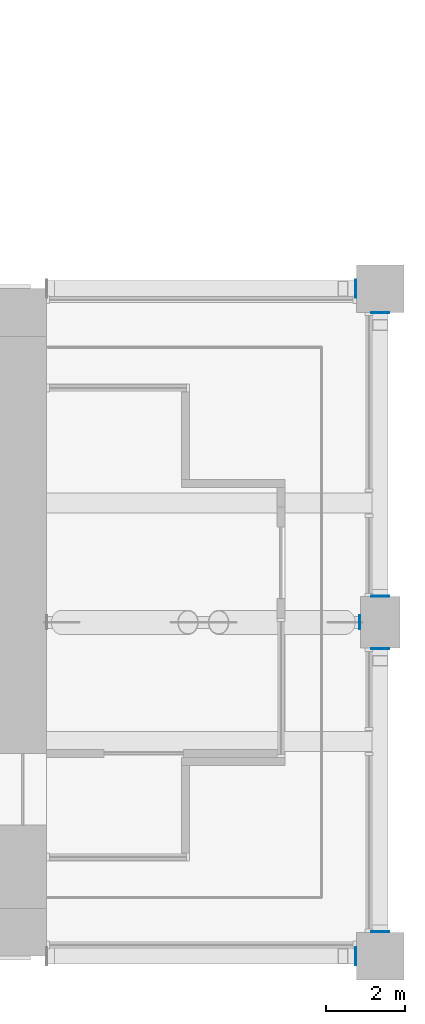
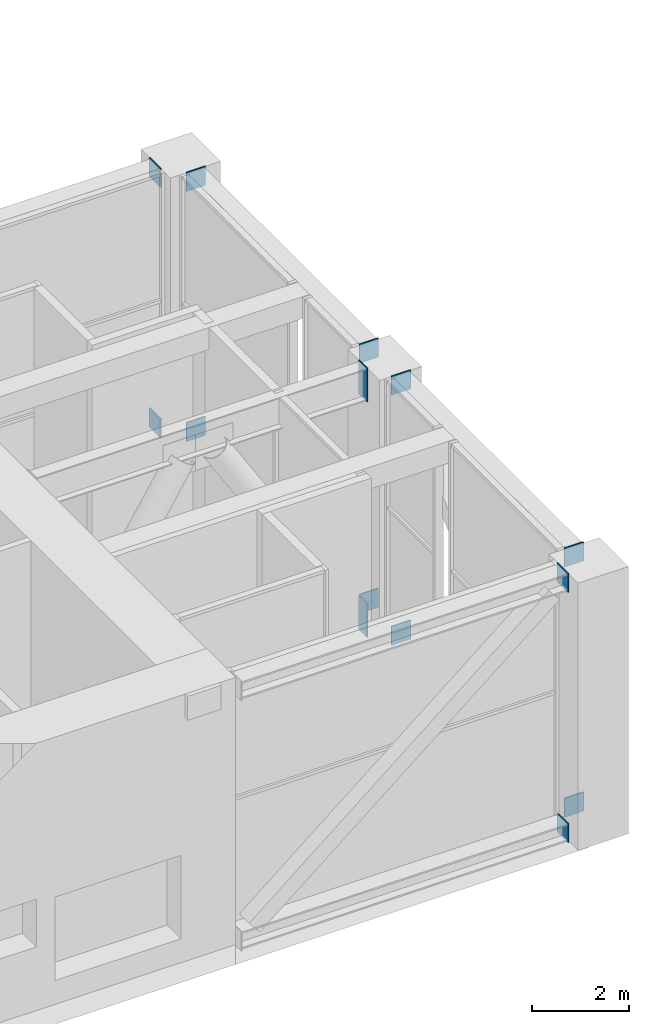
# One storey, part 17 of 22: 14 discrete accessories.
"""IFC4 building model written with IfcOpenShell, lengths in metres."""

from ifc_helpers import new_model, si_unit, direction, frame, origin, origin_2d, place, context, subcontext, project, spatial, rectangle, extrude, element, save


model = new_model("IFC4")

# Units and contexts
model_context = context("Model", 3, precision=1e-05, world=origin(), true_north=direction((0.0, 1.0)))
body_context = subcontext(model_context, "Body", "Model", "MODEL_VIEW")
ifc_project = project(units=[si_unit("LENGTHUNIT", "METRE"), si_unit("AREAUNIT", "SQUARE_METRE"), si_unit("VOLUMEUNIT", "CUBIC_METRE"), si_unit("PLANEANGLEUNIT", "RADIAN"), si_unit("MASSUNIT", "GRAM", prefix="KILO")], contexts=[model_context])

# Site, building, storey
site_placement = place(None, origin())
site = spatial("IfcSite", under=ifc_project, at=site_placement, CompositionType="ELEMENT")
building_placement = place(site_placement, origin())
building = spatial("IfcBuilding", under=site, at=building_placement, Name="Vermilion Gate Residences", CompositionType="ELEMENT")
storey_placement = place(building_placement, frame((0.0, 0.0, 140.699951171875)))
storey = spatial("IfcBuildingStorey", under=building, at=storey_placement, Name="L36", CompositionType="ELEMENT", Elevation=140.699951171875)

# Discrete accessories
for number, where, z_axis, x_axis, name in (
    (1, (66.58740234375, 8.39990234375, -0.02490234375), (0.0, 0.0, 1.0), (1.0, 0.0, 0.0), "End plate B36BELT33B 2"),
    (2, (66.58740234375, 8.39990234375, 6.26708984375), (0.0, 0.0, 1.0), (1.0, 0.0, 0.0), "End plate B36BELT33T 2"),
):
    element("IfcDiscreteAccessory", number, at=place(storey_placement, frame(where, z_axis=z_axis, x_axis=x_axis)), inside=storey, Name=name, ObjectType="END PLATE", PredefinedType="USERDEFINED", context=body_context, shape_type="SweptSolid", body=[
        extrude(rectangle(XDim=0.02490234375, YDim=0.45703125, at=origin_2d()), origin(), (0.0, 0.0, 1.0), 0.47802734375),
    ])
for number, where, z_axis, x_axis, name in (
    (3, (67.199951171875, 9.012451171875, -0.02490234375), (0.0, 0.0, 1.0), (1.0, 0.0, 0.0), "End plate B36BELT34B 1"),
    (4, (67.199951171875, 16.137451171875, -0.02490234375), (0.0, 0.0, 1.0), (1.0, 0.0, 0.0), "End plate B36BELT34B 2"),
    (5, (67.199951171875, 9.012451171875, 6.26708984375), (0.0, 0.0, 1.0), (1.0, 0.0, 0.0), "End plate B36BELT34T 1"),
    (6, (67.199951171875, 16.137451171875, 6.26708984375), (0.0, 0.0, 1.0), (1.0, 0.0, 0.0), "End plate B36BELT34T 2"),
    (7, (67.199951171875, 17.46240234375, -0.02490234375), (0.0, 0.0, 1.0), (1.0, 0.0, 0.0), "End plate B36BELT35B 1"),
    (8, (67.199951171875, 24.58740234375, -0.02490234375), (0.0, 0.0, 1.0), (1.0, 0.0, 0.0), "End plate B36BELT35B 2"),
    (9, (67.199951171875, 17.46240234375, 6.26708984375), (0.0, 0.0, 1.0), (1.0, 0.0, 0.0), "End plate B36BELT35T 1"),
    (10, (67.199951171875, 24.58740234375, 6.26708984375), (0.0, 0.0, 1.0), (1.0, 0.0, 0.0), "End plate B36BELT35T 2"),
):
    element("IfcDiscreteAccessory", number, at=place(storey_placement, frame(where, z_axis=z_axis, x_axis=x_axis)), inside=storey, Name=name, ObjectType="END PLATE", PredefinedType="USERDEFINED", context=body_context, shape_type="SweptSolid", body=[
        extrude(rectangle(XDim=0.45703125, YDim=0.02490234375, at=origin_2d()), origin(), (0.0, 0.0, 1.0), 0.47802734375),
    ])
for number, where, z_axis, x_axis, name in (
    (11, (66.58740234375, 25.199951171875, -0.02490234375), (0.0, 0.0, 1.0), (1.0, 0.0, 0.0), "End plate B36BELT36B 2"),
    (12, (66.58740234375, 25.199951171875, 6.26708984375), (0.0, 0.0, 1.0), (1.0, 0.0, 0.0), "End plate B36BELT36T 2"),
):
    element("IfcDiscreteAccessory", number, at=place(storey_placement, frame(where, z_axis=z_axis, x_axis=x_axis)), inside=storey, Name=name, ObjectType="END PLATE", PredefinedType="USERDEFINED", context=body_context, shape_type="SweptSolid", body=[
        extrude(rectangle(XDim=0.02490234375, YDim=0.45703125, at=origin_2d()), origin(), (0.0, 0.0, 1.0), 0.47802734375),
    ])
for number, where, z_axis, x_axis, name in (
    (13, (66.6875, 16.800048828125, -0.02490234375), (0.0, 0.0, 1.0), (1.0, 0.0, 0.0), "End plate O36OUT6B 2"),
    (14, (66.6875, 16.800048828125, 5.89501953125), (0.0, 0.0, 1.0), (1.0, 0.0, 0.0), "End plate O36OUT6T 2"),
):
    element("IfcDiscreteAccessory", number, at=place(storey_placement, frame(where, z_axis=z_axis, x_axis=x_axis)), inside=storey, Name=name, ObjectType="END PLATE", PredefinedType="USERDEFINED", context=body_context, shape_type="SweptSolid", body=[
        extrude(rectangle(XDim=0.02490234375, YDim=0.35009765625, at=origin_2d()), origin(), (0.0, 0.0, 1.0), 0.85009765625),
    ])

save(model, "model.ifc")
